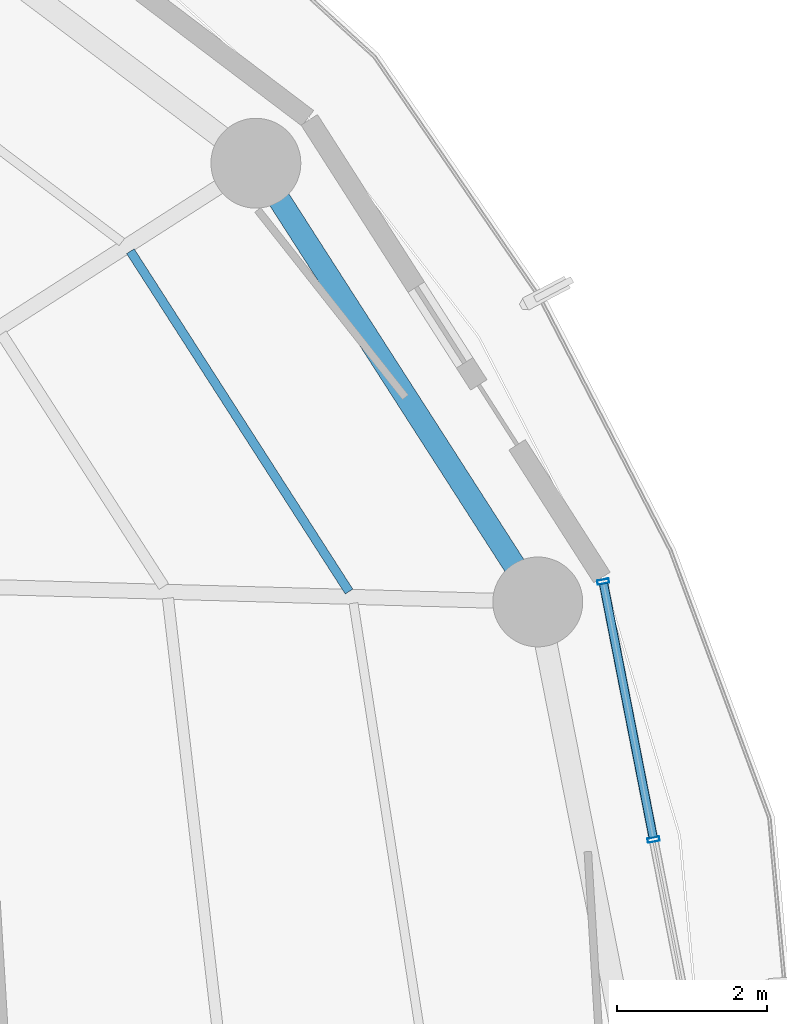
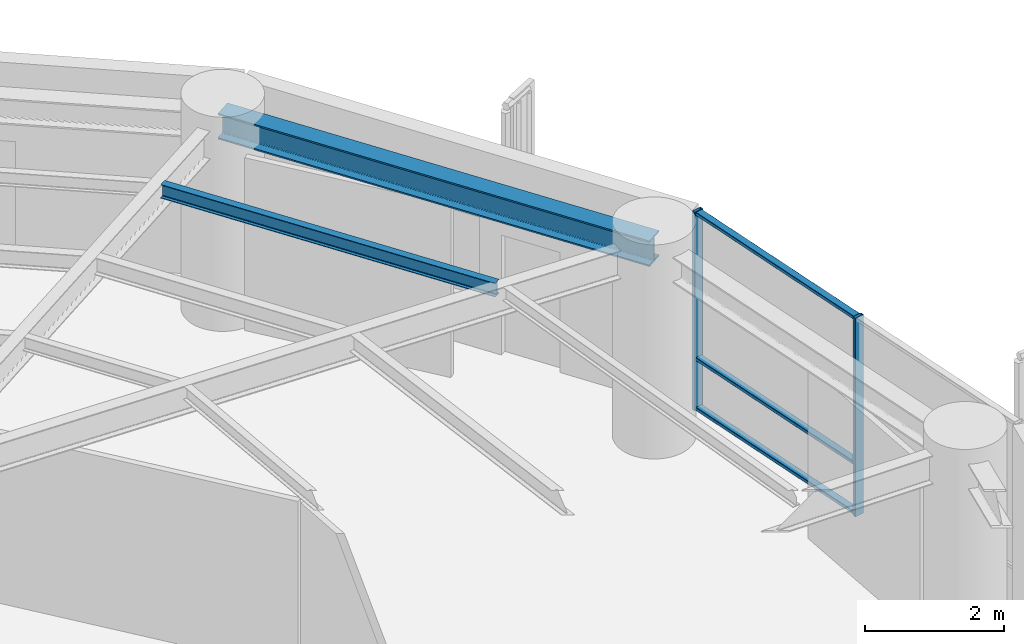
# One storey, part 15 of 27: 5 members, 2 beams, 1 element without a shape of its own.
"""IFC4 building model written with IfcOpenShell, lengths in metres."""

from ifc_helpers import new_model, si_unit, direction, frame, origin, origin_2d, place, context, subcontext, project, spatial, hollow_rectangle, i_section, extrude, material, layer, layer_set, material_profile, profile_set, type_object, element, aggregate, save


model = new_model("IFC4")

# Units and contexts
model_context = context("Model", 3, precision=1e-05, world=origin(), true_north=direction((0.0, 1.0)))
body_context = subcontext(model_context, "Body", "Model", "MODEL_VIEW")
ifc_project = project(units=[si_unit("LENGTHUNIT", "METRE"), si_unit("AREAUNIT", "SQUARE_METRE"), si_unit("VOLUMEUNIT", "CUBIC_METRE"), si_unit("PLANEANGLEUNIT", "RADIAN"), si_unit("MASSUNIT", "GRAM", prefix="KILO")], contexts=[model_context])

# Site, building, storey
site_placement = place(None, origin())
site = spatial("IfcSite", under=ifc_project, at=site_placement, CompositionType="ELEMENT")
building_placement = place(site_placement, origin())
building = spatial("IfcBuilding", under=site, at=building_placement, Name="Kelanora Arch Commons", CompositionType="ELEMENT")
storey_placement = place(building_placement, frame((0.0, 0.0, 154.35009765625)))
storey = spatial("IfcBuildingStorey", under=building, at=storey_placement, Name="L39", CompositionType="ELEMENT", Elevation=154.35009765625)

# Beams
ifc_material_1 = material(Name="Steel S355", Category="steel")
ifc_material_profile_1 = material_profile(ifc_material_1, i_section(OverallWidth=0.1201171875, OverallDepth=0.239990234375, WebThickness=0.006103515625, FlangeThickness=0.009765625, FilletRadius=0.014892578125, at=origin_2d()), Name="IPE240")
ifc_profile_set_1 = profile_set([ifc_material_profile_1], Name="Steel S355")
beam_type_1 = type_object("IfcBeamType", Name="BM-JST-02", PredefinedType="JOIST", material=ifc_profile_set_1)
beam_1_placement = place(storey_placement, frame((91.85205078125, 64.801513671875, 3.369873046875), z_axis=(-0.540581678156, 0.841291536414, 0.0), x_axis=(-0.841291536414, -0.540581678156, 0.0)))
element("IfcBeam", 1, at=beam_1_placement, inside=storey, type_object=beam_type_1, Name="Secondary Chord Joist BJC-02 L39", PredefinedType="JOIST", context=body_context, shape_type="SweptSolid", body=[
    extrude(i_section(OverallWidth=0.1201171875, OverallDepth=0.239990234375, WebThickness=0.006103515625, FlangeThickness=0.009765625, FilletRadius=0.014892578125, at=origin_2d()), origin(), (0.0, 0.0, 1.0), 5.4013671875),
])
ifc_material_profile_2 = material_profile(ifc_material_1, i_section(OverallWidth=0.300048828125, OverallDepth=0.449951171875, WebThickness=0.013916015625, FlangeThickness=0.02587890625, FilletRadius=0.027099609375, at=origin_2d()), Name="HEB450")
ifc_profile_set_2 = profile_set([ifc_material_profile_2], Name="Steel S355")
beam_type_2 = type_object("IfcBeamType", Name="BM-SPN-Z3", PredefinedType="SPANDREL", material=ifc_profile_set_2)
beam_2_placement = place(storey_placement, frame((94.37255859375, 64.66259765625, 3.264892578125), z_axis=(-0.540576852469, 0.841294637196, 0.0), x_axis=(-0.841294637196, -0.540576852469, 0.0)))
element("IfcBeam", 2, at=beam_2_placement, inside=storey, type_object=beam_type_2, Name="Perimeter Spandrel Beam BS-02 L39", PredefinedType="SPANDREL", context=body_context, shape_type="SweptSolid", body=[
    extrude(i_section(OverallWidth=0.300048828125, OverallDepth=0.449951171875, WebThickness=0.013916015625, FlangeThickness=0.02587890625, FilletRadius=0.027099609375, at=origin_2d()), origin(), (0.0, 0.0, 1.0), 6.964111328125),
])

# Curtain wall, members
ifc_material_2 = material(Name="Terracotta ceramic-fritted low-E glass and aluminium", Category="masonry")
ifc_layer = layer(ifc_material_2, 0.175048828125)
ifc_layer_set = layer_set([ifc_layer], Name="Terracotta ceramic-fritted low-E glass and aluminium")
curtain_wall_type = type_object("IfcCurtainWallType", Name="CW-SYS-02", PredefinedType="NOTDEFINED", material=ifc_layer_set)
curtain_wall_placement = place(storey_placement, origin())
curtain_wall = element("IfcCurtainWall", 3, at=curtain_wall_placement, inside=storey, type_object=curtain_wall_type, Name="Unitised Curtain Wall L39-B00", PredefinedType="NOTDEFINED")
ifc_material_3 = material(Name="Powder-coated aluminium terracotta", Category="masonry")
ifc_material_profile_3 = material_profile(ifc_material_3, hollow_rectangle(XDim=0.159912109375, YDim=0.06005859375, WallThickness=0.0048828125, InnerFilletRadius=0.0048828125, OuterFilletRadius=0.010009765625, at=origin_2d()), Name="CWM160x60")
ifc_profile_set_3 = profile_set([ifc_material_profile_3], Name="Powder-coated aluminium terracotta")
member_type_1 = type_object("IfcMemberType", Name="CWM-STD", PredefinedType="MULLION", material=ifc_profile_set_3)
member_1_placement = place(storey_placement, frame((95.91845703125, 61.488525390625, 0.0), z_axis=(0.0, 0.0, 1.0), x_axis=(-0.981452557718, -0.191705182375, 0.0)))
member_1 = element("IfcMember", 4, at=member_1_placement, type_object=member_type_1, Name="CW-02 mullion 2", PredefinedType="MULLION", context=body_context, shape_type="SweptSolid", body=[
    extrude(hollow_rectangle(XDim=0.159912109375, YDim=0.06005859375, WallThickness=0.0048828125, InnerFilletRadius=0.0048828125, OuterFilletRadius=0.010009765625, at=origin_2d()), origin(), (0.0, 0.0, 1.0), 3.474853515625),
])
member_2_placement = place(storey_placement, frame((95.245849609375, 64.93310546875, 0.0), z_axis=(0.0, 0.0, 1.0), x_axis=(-0.981452557718, -0.191705182375, 0.0)))
member_2 = element("IfcMember", 5, at=member_2_placement, type_object=member_type_1, Name="CW-02 mullion 3", PredefinedType="MULLION", context=body_context, shape_type="SweptSolid", body=[
    extrude(hollow_rectangle(XDim=0.159912109375, YDim=0.06005859375, WallThickness=0.0048828125, InnerFilletRadius=0.0048828125, OuterFilletRadius=0.010009765625, at=origin_2d()), origin(), (0.0, 0.0, 1.0), 3.474853515625),
])
ifc_material_profile_4 = material_profile(ifc_material_3, hollow_rectangle(XDim=0.1201171875, YDim=0.06005859375, WallThickness=0.0048828125, InnerFilletRadius=0.0048828125, OuterFilletRadius=0.010009765625, at=origin_2d()), Name="CWT120x60")
ifc_profile_set_4 = profile_set([ifc_material_profile_4], Name="Powder-coated aluminium terracotta")
member_type_2 = type_object("IfcMemberType", Name="CWT-STD", PredefinedType="USERDEFINED", material=ifc_profile_set_4)
member_3_placement = place(storey_placement, frame((95.912841796875, 61.51806640625, 0.02978515625), z_axis=(-0.191731523726, 0.981447412147, 0.0), x_axis=(-0.981447412147, -0.191731523726, 0.0)))
member_3 = element("IfcMember", 6, at=member_3_placement, type_object=member_type_2, Name="CW-02 transom 2.1", ObjectType="TRANSOM", PredefinedType="USERDEFINED", context=body_context, shape_type="SweptSolid", body=[
    extrude(hollow_rectangle(XDim=0.1201171875, YDim=0.06005859375, WallThickness=0.0048828125, InnerFilletRadius=0.0048828125, OuterFilletRadius=0.010009765625, at=origin_2d()), origin(), (0.0, 0.0, 1.0), 3.449462890625),
])
member_4_placement = place(storey_placement, frame((95.912841796875, 61.51806640625, 0.89990234375), z_axis=(-0.191731523726, 0.981447412147, 0.0), x_axis=(-0.981447412147, -0.191731523726, 0.0)))
member_4 = element("IfcMember", 7, at=member_4_placement, type_object=member_type_2, Name="CW-02 transom 2.2", ObjectType="TRANSOM", PredefinedType="USERDEFINED", context=body_context, shape_type="SweptSolid", body=[
    extrude(hollow_rectangle(XDim=0.1201171875, YDim=0.06005859375, WallThickness=0.0048828125, InnerFilletRadius=0.0048828125, OuterFilletRadius=0.010009765625, at=origin_2d()), origin(), (0.0, 0.0, 1.0), 3.449462890625),
])
member_5_placement = place(storey_placement, frame((95.912841796875, 61.51806640625, 3.44482421875), z_axis=(-0.191731523726, 0.981447412147, 0.0), x_axis=(-0.981447412147, -0.191731523726, 0.0)))
member_5 = element("IfcMember", 8, at=member_5_placement, type_object=member_type_2, Name="CW-02 transom 2.3", ObjectType="TRANSOM", PredefinedType="USERDEFINED", context=body_context, shape_type="SweptSolid", body=[
    extrude(hollow_rectangle(XDim=0.1201171875, YDim=0.06005859375, WallThickness=0.0048828125, InnerFilletRadius=0.0048828125, OuterFilletRadius=0.010009765625, at=origin_2d()), origin(), (0.0, 0.0, 1.0), 3.449462890625),
])
aggregate(curtain_wall, [member_1, member_2, member_3, member_4, member_5])

save(model, "model.ifc")
